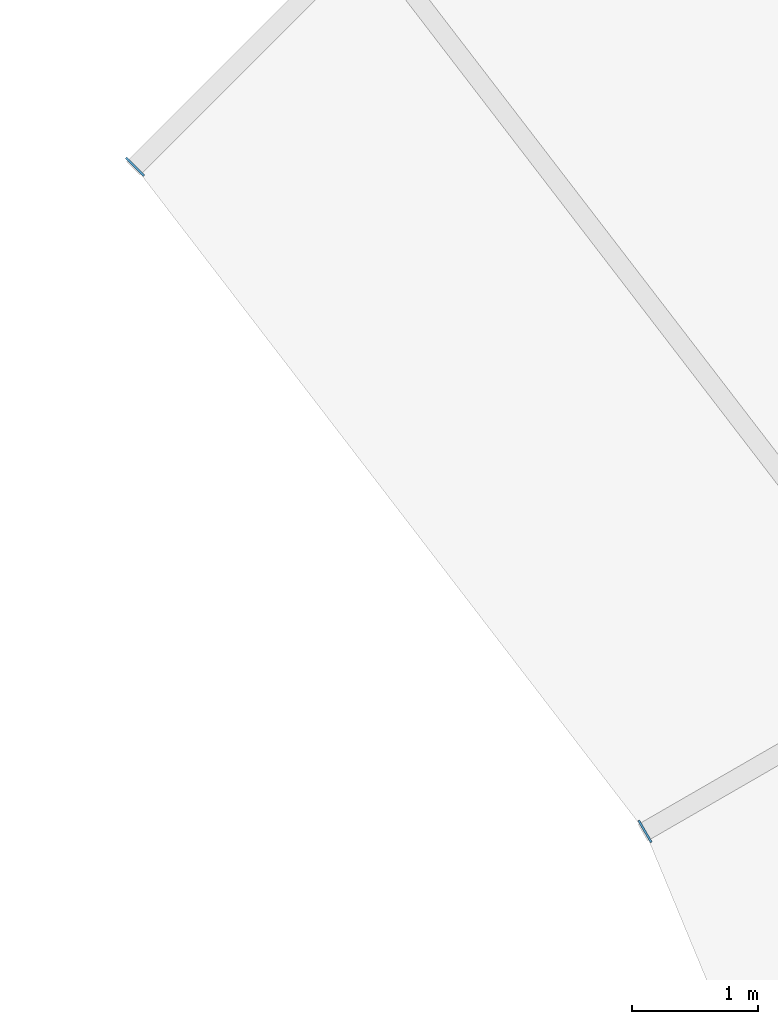
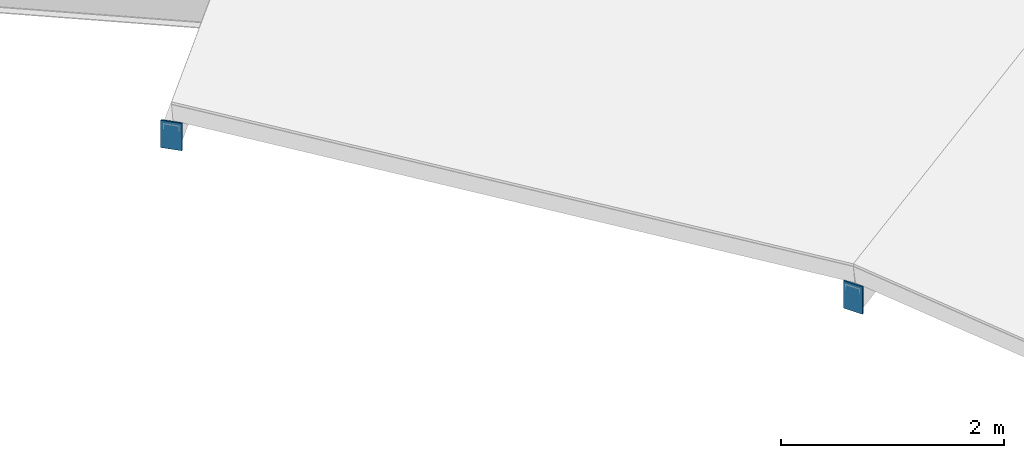
# One storey, part 170 of 200: 2 plates.
"""IFC4 building model written with IfcOpenShell, lengths in metres."""

from ifc_helpers import new_model, si_unit, direction, frame, origin, origin_2d, place, context, subcontext, project, spatial, rectangle, extrude, material, layer, layer_set, type_object, element, save


model = new_model("IFC4")

# Units and contexts
model_context = context("Model", 3, precision=1e-05, world=origin(), true_north=direction((0.0, 1.0)))
body_context = subcontext(model_context, "Body", "Model", "MODEL_VIEW")
ifc_project = project(units=[si_unit("LENGTHUNIT", "METRE"), si_unit("AREAUNIT", "SQUARE_METRE"), si_unit("VOLUMEUNIT", "CUBIC_METRE"), si_unit("PLANEANGLEUNIT", "RADIAN"), si_unit("MASSUNIT", "GRAM", prefix="KILO")], contexts=[model_context])

# Site, building, storey
site_placement = place(None, origin())
site = spatial("IfcSite", under=ifc_project, at=site_placement, CompositionType="ELEMENT")
building_placement = place(site_placement, origin())
building = spatial("IfcBuilding", under=site, at=building_placement, Name="Vondelvale Polytechnic", CompositionType="ELEMENT")
storey_placement = place(building_placement, frame((0.0, 0.0, 13.800048828125)))
storey = spatial("IfcBuildingStorey", under=building, at=storey_placement, Name="L03", CompositionType="ELEMENT", Elevation=13.800048828125)

# Plates
ifc_material = material(Name="Steel Grade 350 (fy = 340 MPa)", Category="steel")
ifc_layer = layer(ifc_material, 0.01611328125)
ifc_layer_set = layer_set([ifc_layer], Name="PLATE-CAP-300x200")
plate_type = type_object("IfcPlateType", Name="PLATE-CAP-300x200", PredefinedType="USERDEFINED", material=ifc_layer_set)
for number, where, z_axis, x_axis, name in (
    (1, (123.9970703125, 84.699951171875, -0.1845703125), (0.0, 0.0, 1.0), (-0.866025403784, -0.5, 0.0), "Ring rafter hollow end cap plate 02I"),
    (2, (119.96044921875, 89.96044921875, -0.1845703125), (0.0, 0.0, 1.0), (-0.707106781187, -0.707106781187, 0.0), "Ring step rafter end cap plate 02I"),
):
    element("IfcPlate", number, at=place(storey_placement, frame(where, z_axis=z_axis, x_axis=x_axis)), inside=storey, type_object=plate_type, Name=name, ObjectType="CAP_PLATE", PredefinedType="USERDEFINED", context=body_context, shape_type="SweptSolid", body=[
        extrude(rectangle(XDim=0.01611328125, YDim=0.199951171875, at=origin_2d()), origin(), (0.0, 0.0, 1.0), 0.300048828125),
    ])

save(model, "model.ifc")
